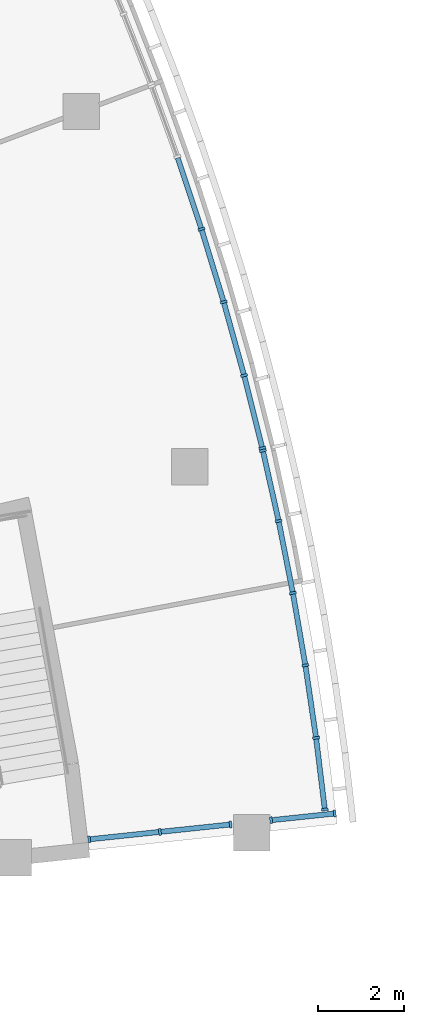
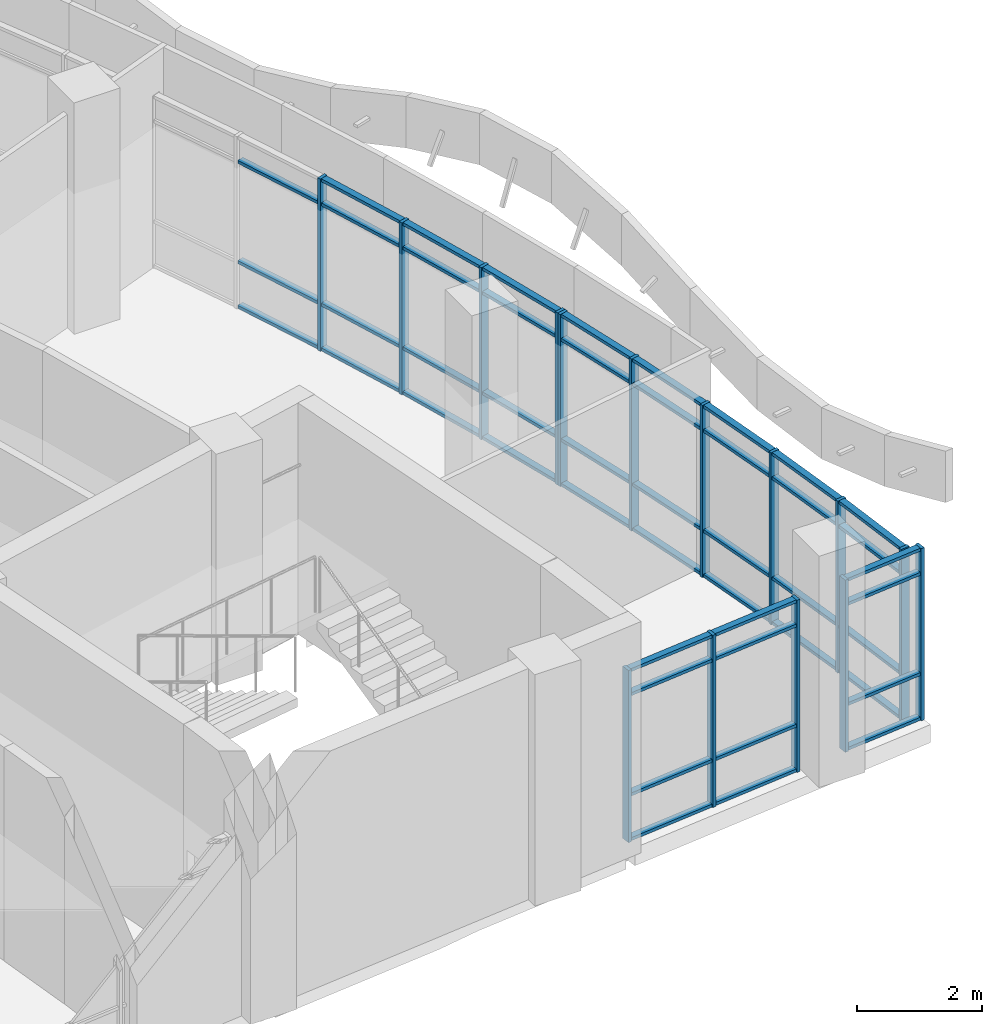
# One storey, part 30 of 136: 62 members, 4 elements without a shape of their own.
"""IFC4 building model written with IfcOpenShell, lengths in metres."""

from ifc_helpers import new_model, si_unit, direction, frame, origin, origin_2d, place, context, subcontext, project, spatial, rectangle, extrude, material, material_profile, profile_set, type_object, element, aggregate, save


model = new_model("IFC4")

# Units and contexts
model_context = context("Model", 3, precision=1e-05, world=origin(), true_north=direction((0.0, 1.0)))
body_context = subcontext(model_context, "Body", "Model", "MODEL_VIEW")
ifc_project = project(units=[si_unit("LENGTHUNIT", "METRE"), si_unit("AREAUNIT", "SQUARE_METRE"), si_unit("VOLUMEUNIT", "CUBIC_METRE"), si_unit("PLANEANGLEUNIT", "RADIAN"), si_unit("MASSUNIT", "GRAM", prefix="KILO")], contexts=[model_context])

# Site, building, storey
site_placement = place(None, origin())
site = spatial("IfcSite", under=ifc_project, at=site_placement, CompositionType="ELEMENT")
building_placement = place(site_placement, origin())
building = spatial("IfcBuilding", under=site, at=building_placement, Name="Bougainvillea Quay General Hospital", CompositionType="ELEMENT")
storey_placement = place(building_placement, frame((0.0, 0.0, 5.39990234375)))
storey = spatial("IfcBuildingStorey", under=building, at=storey_placement, Name="L01", CompositionType="ELEMENT", Elevation=5.39990234375)

# Curtain wall, members
ifc_material_1 = material(Name="Aluminium curtain wall system, powder-coated glazed", Category="aluminium")
curtain_wall_type_1 = type_object("IfcCurtainWallType", Name="Unitised curtain wall CW-1691", PredefinedType="NOTDEFINED", material=ifc_material_1)
curtain_wall_1_placement = place(storey_placement, origin())
curtain_wall_1 = element("IfcCurtainWall", 1, at=curtain_wall_1_placement, inside=storey, type_object=curtain_wall_type_1, Name="CW-AE 04", PredefinedType="NOTDEFINED")
ifc_material_2 = material(Name="Aluminium mullion, powder-coated charcoal", Category="aluminium")
ifc_material_profile_1 = material_profile(ifc_material_2, rectangle(XDim=0.159912109375, YDim=0.06005859375, at=origin_2d()))
ifc_profile_set_1 = profile_set([ifc_material_profile_1], Name="Aluminium mullion, powder-coated charcoal")
member_type_1 = type_object("IfcMemberType", Name="Curtain wall mullion 160x60", PredefinedType="MULLION", material=ifc_profile_set_1)
member_1_placement = place(storey_placement, frame((173.027099609375, 28.9599609375, 0.0), z_axis=(0.0, 0.0, 1.0), x_axis=(-0.104527173765, 0.9945220309, 0.0)))
member_1 = element("IfcMember", 2, at=member_1_placement, type_object=member_type_1, Name="CW-AE mullion 1", PredefinedType="MULLION", context=body_context, shape_type="SweptSolid", body=[
    extrude(rectangle(XDim=0.159912109375, YDim=0.06005859375, at=origin_2d()), origin(), (0.0, 0.0, 1.0), 3.35009765625),
])
member_2_placement = place(storey_placement, frame((174.677978515625, 29.13330078125, 0.0), z_axis=(0.0, 0.0, 1.0), x_axis=(-0.104527173765, 0.9945220309, 0.0)))
member_2 = element("IfcMember", 3, at=member_2_placement, type_object=member_type_1, Name="CW-AE mullion 2", PredefinedType="MULLION", context=body_context, shape_type="SweptSolid", body=[
    extrude(rectangle(XDim=0.159912109375, YDim=0.06005859375, at=origin_2d()), origin(), (0.0, 0.0, 1.0), 3.35009765625),
])
member_3_placement = place(storey_placement, frame((176.3291015625, 29.306884765625, 0.0), z_axis=(0.0, 0.0, 1.0), x_axis=(-0.104527173765, 0.9945220309, 0.0)))
member_3 = element("IfcMember", 4, at=member_3_placement, type_object=member_type_1, Name="CW-AE mullion 3", PredefinedType="MULLION", context=body_context, shape_type="SweptSolid", body=[
    extrude(rectangle(XDim=0.159912109375, YDim=0.06005859375, at=origin_2d()), origin(), (0.0, 0.0, 1.0), 3.35009765625),
])

curtain_wall_type_2 = type_object("IfcCurtainWallType", Name="Unitised curtain wall CW-1556", PredefinedType="NOTDEFINED", material=ifc_material_1)
curtain_wall_2_placement = place(storey_placement, origin())
curtain_wall_2 = element("IfcCurtainWall", 5, at=curtain_wall_2_placement, inside=storey, type_object=curtain_wall_type_2, Name="CW-AE 05", PredefinedType="NOTDEFINED")
member_4_placement = place(storey_placement, frame((177.273681640625, 29.40625, 0.0), z_axis=(0.0, 0.0, 1.0), x_axis=(-0.104527173765, 0.9945220309, 0.0)))
member_4 = element("IfcMember", 6, at=member_4_placement, type_object=member_type_1, Name="CW-AE mullion 1", PredefinedType="MULLION", context=body_context, shape_type="SweptSolid", body=[
    extrude(rectangle(XDim=0.159912109375, YDim=0.06005859375, at=origin_2d()), origin(), (0.0, 0.0, 1.0), 3.35009765625),
])
member_5_placement = place(storey_placement, frame((178.760986328125, 29.5625, 0.0), z_axis=(0.0, 0.0, 1.0), x_axis=(-0.104527173765, 0.9945220309, 0.0)))
member_5 = element("IfcMember", 7, at=member_5_placement, type_object=member_type_1, Name="CW-AE mullion 2", PredefinedType="MULLION", context=body_context, shape_type="SweptSolid", body=[
    extrude(rectangle(XDim=0.159912109375, YDim=0.06005859375, at=origin_2d()), origin(), (0.0, 0.0, 1.0), 3.35009765625),
])

curtain_wall_type_3 = type_object("IfcCurtainWallType", Name="Unitised curtain wall CW-2100", PredefinedType="NOTDEFINED", material=ifc_material_1)
curtain_wall_3_placement = place(storey_placement, origin())
curtain_wall_3 = element("IfcCurtainWall", 8, at=curtain_wall_3_placement, inside=storey, type_object=curtain_wall_type_3, Name="CW-E07 a23b6", PredefinedType="NOTDEFINED")
member_6_placement = place(storey_placement, frame((175.6474609375, 43.210205078125, 0.0), z_axis=(0.0, 0.0, 1.0), x_axis=(0.952644499358, 0.304086267106, 0.0)))
member_6 = element("IfcMember", 9, at=member_6_placement, type_object=member_type_1, Name="CW-E07 mullion 3", PredefinedType="MULLION", context=body_context, shape_type="SweptSolid", body=[
    extrude(rectangle(XDim=0.159912109375, YDim=0.06005859375, at=origin_2d()), origin(), (0.0, 0.0, 1.0), 3.35009765625),
])
member_7_placement = place(storey_placement, frame((176.1669921875, 41.507568359375, 0.0), z_axis=(0.0, 0.0, 1.0), x_axis=(0.960094774236, 0.27967485494, 0.0)))
member_7 = element("IfcMember", 10, at=member_7_placement, type_object=member_type_1, Name="CW-E07 mullion 4", PredefinedType="MULLION", context=body_context, shape_type="SweptSolid", body=[
    extrude(rectangle(XDim=0.159912109375, YDim=0.06005859375, at=origin_2d()), origin(), (0.0, 0.0, 1.0), 3.35009765625),
])
member_8_placement = place(storey_placement, frame((176.64306640625, 39.7919921875, 0.0), z_axis=(0.0, 0.0, 1.0), x_axis=(0.966919620681, 0.255081255962, 0.0)))
member_8 = element("IfcMember", 11, at=member_8_placement, type_object=member_type_1, Name="CW-E07 mullion 5", PredefinedType="MULLION", context=body_context, shape_type="SweptSolid", body=[
    extrude(rectangle(XDim=0.159912109375, YDim=0.06005859375, at=origin_2d()), origin(), (0.0, 0.0, 1.0), 3.35009765625),
])
member_9_placement = place(storey_placement, frame((177.06787109375, 38.09423828125, 0.0), z_axis=(0.0, 0.0, 1.0), x_axis=(0.970096102912, 0.242721138583, 0.0)))
member_9 = element("IfcMember", 12, at=member_9_placement, type_object=member_type_1, Name="CW-E07 mullion 6", PredefinedType="MULLION", context=body_context, shape_type="SweptSolid", body=[
    extrude(rectangle(XDim=0.159912109375, YDim=0.06005859375, at=origin_2d()), origin(), (0.0, 0.0, 1.0), 3.35009765625),
])

curtain_wall_4_placement = place(storey_placement, origin())
curtain_wall_4 = element("IfcCurtainWall", 13, at=curtain_wall_4_placement, inside=storey, type_object=curtain_wall_type_3, Name="CW-E08 a23b7", PredefinedType="NOTDEFINED")
member_10_placement = place(storey_placement, frame((177.081787109375, 38.03564453125, 0.0), z_axis=(0.0, 0.0, 1.0), x_axis=(0.97587019217, 0.218351478204, 0.0)))
member_10 = element("IfcMember", 14, at=member_10_placement, type_object=member_type_1, Name="CW-E08 mullion 1", PredefinedType="MULLION", context=body_context, shape_type="SweptSolid", body=[
    extrude(rectangle(XDim=0.159912109375, YDim=0.06005859375, at=origin_2d()), origin(), (0.0, 0.0, 1.0), 3.35009765625),
])
member_11_placement = place(storey_placement, frame((177.44921875, 36.392822265625, 0.0), z_axis=(0.0, 0.0, 1.0), x_axis=(0.978478557556, 0.206348521691, 0.0)))
member_11 = element("IfcMember", 15, at=member_11_placement, type_object=member_type_1, Name="CW-E08 mullion 2", PredefinedType="MULLION", context=body_context, shape_type="SweptSolid", body=[
    extrude(rectangle(XDim=0.159912109375, YDim=0.06005859375, at=origin_2d()), origin(), (0.0, 0.0, 1.0), 3.35009765625),
])
member_12_placement = place(storey_placement, frame((177.7822265625, 34.712158203125, 0.0), z_axis=(0.0, 0.0, 1.0), x_axis=(0.983252034569, 0.182251026106, 0.0)))
member_12 = element("IfcMember", 16, at=member_12_placement, type_object=member_type_1, Name="CW-E08 mullion 3", PredefinedType="MULLION", context=body_context, shape_type="SweptSolid", body=[
    extrude(rectangle(XDim=0.159912109375, YDim=0.06005859375, at=origin_2d()), origin(), (0.0, 0.0, 1.0), 3.35009765625),
])
member_13_placement = place(storey_placement, frame((178.07373046875, 33.023681640625, 0.0), z_axis=(0.0, 0.0, 1.0), x_axis=(0.98743214319, 0.158043546515, 0.0)))
member_13 = element("IfcMember", 17, at=member_13_placement, type_object=member_type_1, Name="CW-E08 mullion 4", PredefinedType="MULLION", context=body_context, shape_type="SweptSolid", body=[
    extrude(rectangle(XDim=0.159912109375, YDim=0.06005859375, at=origin_2d()), origin(), (0.0, 0.0, 1.0), 3.35009765625),
])
member_14_placement = place(storey_placement, frame((178.323974609375, 31.328369140625, 0.0), z_axis=(0.0, 0.0, 1.0), x_axis=(0.991016360827, 0.133740691535, 0.0)))
member_14 = element("IfcMember", 18, at=member_14_placement, type_object=member_type_1, Name="CW-E08 mullion 5", PredefinedType="MULLION", context=body_context, shape_type="SweptSolid", body=[
    extrude(rectangle(XDim=0.159912109375, YDim=0.06005859375, at=origin_2d()), origin(), (0.0, 0.0, 1.0), 3.35009765625),
])
member_15_placement = place(storey_placement, frame((178.528564453125, 29.657470703125, 0.0), z_axis=(0.0, 0.0, 1.0), x_axis=(0.992584320508, 0.121558079457, 0.0)))
member_15 = element("IfcMember", 19, at=member_15_placement, type_object=member_type_1, Name="CW-E08 mullion 6", PredefinedType="MULLION", context=body_context, shape_type="SweptSolid", body=[
    extrude(rectangle(XDim=0.159912109375, YDim=0.06005859375, at=origin_2d()), origin(), (0.0, 0.0, 1.0), 3.35009765625),
])

# Member
ifc_material_3 = material(Name="Aluminium transom, powder-coated charcoal", Category="aluminium")
ifc_material_profile_2 = material_profile(ifc_material_3, rectangle(XDim=0.1201171875, YDim=0.06005859375, at=origin_2d()))
ifc_profile_set_2 = profile_set([ifc_material_profile_2], Name="Aluminium transom, powder-coated charcoal")
member_type_2 = type_object("IfcMemberType", Name="Curtain wall transom 120x60", PredefinedType="USERDEFINED", material=ifc_profile_set_2)
member_16_placement = place(storey_placement, frame((173.05712890625, 28.962890625, 0.030029296875), z_axis=(0.994521329025, 0.104533851524, 0.0), x_axis=(-0.104533851524, 0.994521329025, 0.0)))
member_16 = element("IfcMember", 20, at=member_16_placement, type_object=member_type_2, Name="CW-AE transom 1.1", ObjectType="TRANSOM", PredefinedType="USERDEFINED", context=body_context, shape_type="SweptSolid", body=[
    extrude(rectangle(XDim=0.1201171875, YDim=0.06005859375, at=origin_2d()), origin(), (0.0, 0.0, 1.0), 1.599853515625),
])

member_17_placement = place(storey_placement, frame((173.05712890625, 28.962890625, 0.900146484375), z_axis=(0.994521329025, 0.104533851524, 0.0), x_axis=(-0.104533851524, 0.994521329025, 0.0)))
member_17 = element("IfcMember", 21, at=member_17_placement, type_object=member_type_2, Name="CW-AE transom 1.2", ObjectType="TRANSOM", PredefinedType="USERDEFINED", context=body_context, shape_type="SweptSolid", body=[
    extrude(rectangle(XDim=0.1201171875, YDim=0.06005859375, at=origin_2d()), origin(), (0.0, 0.0, 1.0), 1.599853515625),
])

member_18_placement = place(storey_placement, frame((173.05712890625, 28.962890625, 2.85009765625), z_axis=(0.994521329025, 0.104533851524, 0.0), x_axis=(-0.104533851524, 0.994521329025, 0.0)))
member_18 = element("IfcMember", 22, at=member_18_placement, type_object=member_type_2, Name="CW-AE transom 1.3", ObjectType="TRANSOM", PredefinedType="USERDEFINED", context=body_context, shape_type="SweptSolid", body=[
    extrude(rectangle(XDim=0.1201171875, YDim=0.06005859375, at=origin_2d()), origin(), (0.0, 0.0, 1.0), 1.599853515625),
])

member_19_placement = place(storey_placement, frame((173.05712890625, 28.962890625, 3.320068359375), z_axis=(0.994521329025, 0.104533851524, 0.0), x_axis=(-0.104533851524, 0.994521329025, 0.0)))
member_19 = element("IfcMember", 23, at=member_19_placement, type_object=member_type_2, Name="CW-AE transom 1.4", ObjectType="TRANSOM", PredefinedType="USERDEFINED", context=body_context, shape_type="SweptSolid", body=[
    extrude(rectangle(XDim=0.1201171875, YDim=0.06005859375, at=origin_2d()), origin(), (0.0, 0.0, 1.0), 1.599853515625),
])

member_20_placement = place(storey_placement, frame((174.7080078125, 29.136474609375, 0.030029296875), z_axis=(0.994521329025, 0.104533851524, 0.0), x_axis=(-0.104533851524, 0.994521329025, 0.0)))
member_20 = element("IfcMember", 24, at=member_20_placement, type_object=member_type_2, Name="CW-AE transom 2.1", ObjectType="TRANSOM", PredefinedType="USERDEFINED", context=body_context, shape_type="SweptSolid", body=[
    extrude(rectangle(XDim=0.1201171875, YDim=0.06005859375, at=origin_2d()), origin(), (0.0, 0.0, 1.0), 1.599853515625),
])

member_21_placement = place(storey_placement, frame((174.7080078125, 29.136474609375, 0.900146484375), z_axis=(0.994521329025, 0.104533851524, 0.0), x_axis=(-0.104533851524, 0.994521329025, 0.0)))
member_21 = element("IfcMember", 25, at=member_21_placement, type_object=member_type_2, Name="CW-AE transom 2.2", ObjectType="TRANSOM", PredefinedType="USERDEFINED", context=body_context, shape_type="SweptSolid", body=[
    extrude(rectangle(XDim=0.1201171875, YDim=0.06005859375, at=origin_2d()), origin(), (0.0, 0.0, 1.0), 1.599853515625),
])

member_22_placement = place(storey_placement, frame((174.7080078125, 29.136474609375, 2.85009765625), z_axis=(0.994521329025, 0.104533851524, 0.0), x_axis=(-0.104533851524, 0.994521329025, 0.0)))
member_22 = element("IfcMember", 26, at=member_22_placement, type_object=member_type_2, Name="CW-AE transom 2.3", ObjectType="TRANSOM", PredefinedType="USERDEFINED", context=body_context, shape_type="SweptSolid", body=[
    extrude(rectangle(XDim=0.1201171875, YDim=0.06005859375, at=origin_2d()), origin(), (0.0, 0.0, 1.0), 1.599853515625),
])

member_23_placement = place(storey_placement, frame((174.7080078125, 29.136474609375, 3.320068359375), z_axis=(0.994521329025, 0.104533851524, 0.0), x_axis=(-0.104533851524, 0.994521329025, 0.0)))
member_23 = element("IfcMember", 27, at=member_23_placement, type_object=member_type_2, Name="CW-AE transom 2.4", ObjectType="TRANSOM", PredefinedType="USERDEFINED", context=body_context, shape_type="SweptSolid", body=[
    extrude(rectangle(XDim=0.1201171875, YDim=0.06005859375, at=origin_2d()), origin(), (0.0, 0.0, 1.0), 1.599853515625),
])

aggregate(curtain_wall_1, [member_1, member_2, member_3, member_16, member_17, member_18, member_19, member_20, member_21, member_22, member_23])

member_24_placement = place(storey_placement, frame((177.3037109375, 29.409423828125, 0.030029296875), z_axis=(0.994531518422, 0.104436865454, 0.0), x_axis=(-0.104436865454, 0.994531518422, 0.0)))
member_24 = element("IfcMember", 28, at=member_24_placement, type_object=member_type_2, Name="CW-AE transom 1.1", ObjectType="TRANSOM", PredefinedType="USERDEFINED", context=body_context, shape_type="SweptSolid", body=[
    extrude(rectangle(XDim=0.1201171875, YDim=0.06005859375, at=origin_2d()), origin(), (0.0, 0.0, 1.0), 1.435302734375),
])

member_25_placement = place(storey_placement, frame((177.3037109375, 29.409423828125, 0.900146484375), z_axis=(0.994531518422, 0.104436865454, 0.0), x_axis=(-0.104436865454, 0.994531518422, 0.0)))
member_25 = element("IfcMember", 29, at=member_25_placement, type_object=member_type_2, Name="CW-AE transom 1.2", ObjectType="TRANSOM", PredefinedType="USERDEFINED", context=body_context, shape_type="SweptSolid", body=[
    extrude(rectangle(XDim=0.1201171875, YDim=0.06005859375, at=origin_2d()), origin(), (0.0, 0.0, 1.0), 1.435302734375),
])

member_26_placement = place(storey_placement, frame((177.3037109375, 29.409423828125, 2.85009765625), z_axis=(0.994531518422, 0.104436865454, 0.0), x_axis=(-0.104436865454, 0.994531518422, 0.0)))
member_26 = element("IfcMember", 30, at=member_26_placement, type_object=member_type_2, Name="CW-AE transom 1.3", ObjectType="TRANSOM", PredefinedType="USERDEFINED", context=body_context, shape_type="SweptSolid", body=[
    extrude(rectangle(XDim=0.1201171875, YDim=0.06005859375, at=origin_2d()), origin(), (0.0, 0.0, 1.0), 1.435302734375),
])

member_27_placement = place(storey_placement, frame((177.3037109375, 29.409423828125, 3.320068359375), z_axis=(0.994531518422, 0.104436865454, 0.0), x_axis=(-0.104436865454, 0.994531518422, 0.0)))
member_27 = element("IfcMember", 31, at=member_27_placement, type_object=member_type_2, Name="CW-AE transom 1.4", ObjectType="TRANSOM", PredefinedType="USERDEFINED", context=body_context, shape_type="SweptSolid", body=[
    extrude(rectangle(XDim=0.1201171875, YDim=0.06005859375, at=origin_2d()), origin(), (0.0, 0.0, 1.0), 1.435302734375),
])

aggregate(curtain_wall_2, [member_4, member_5, member_24, member_25, member_26, member_27])

member_28_placement = place(storey_placement, frame((175.093994140625, 44.87060546875, 0.030029296875), z_axis=(0.316185191391, -0.948697488531, 0.0), x_axis=(0.948697488531, 0.316185191391, 0.0)))
member_28 = element("IfcMember", 32, at=member_28_placement, type_object=member_type_2, Name="CW-E07 transom 2.1", ObjectType="TRANSOM", PredefinedType="USERDEFINED", context=body_context, shape_type="SweptSolid", body=[
    extrude(rectangle(XDim=0.1201171875, YDim=0.06005859375, at=origin_2d()), origin(), (0.0, 0.0, 1.0), 1.720458984375),
])

member_29_placement = place(storey_placement, frame((175.093994140625, 44.87060546875, 0.900146484375), z_axis=(0.316185191391, -0.948697488531, 0.0), x_axis=(0.948697488531, 0.316185191391, 0.0)))
member_29 = element("IfcMember", 33, at=member_29_placement, type_object=member_type_2, Name="CW-E07 transom 2.2", ObjectType="TRANSOM", PredefinedType="USERDEFINED", context=body_context, shape_type="SweptSolid", body=[
    extrude(rectangle(XDim=0.1201171875, YDim=0.06005859375, at=origin_2d()), origin(), (0.0, 0.0, 1.0), 1.720458984375),
])

member_30_placement = place(storey_placement, frame((175.093994140625, 44.87060546875, 2.85009765625), z_axis=(0.316185191391, -0.948697488531, 0.0), x_axis=(0.948697488531, 0.316185191391, 0.0)))
member_30 = element("IfcMember", 34, at=member_30_placement, type_object=member_type_2, Name="CW-E07 transom 2.3", ObjectType="TRANSOM", PredefinedType="USERDEFINED", context=body_context, shape_type="SweptSolid", body=[
    extrude(rectangle(XDim=0.1201171875, YDim=0.06005859375, at=origin_2d()), origin(), (0.0, 0.0, 1.0), 1.720458984375),
])

member_31_placement = place(storey_placement, frame((175.65625, 43.181396484375, 0.030029296875), z_axis=(0.29181104464, -0.956475987271, 0.0), x_axis=(0.956475987271, 0.29181104464, 0.0)))
member_31 = element("IfcMember", 35, at=member_31_placement, type_object=member_type_2, Name="CW-E07 transom 3.1", ObjectType="TRANSOM", PredefinedType="USERDEFINED", context=body_context, shape_type="SweptSolid", body=[
    extrude(rectangle(XDim=0.1201171875, YDim=0.06005859375, at=origin_2d()), origin(), (0.0, 0.0, 1.0), 1.72021484375),
])

member_32_placement = place(storey_placement, frame((175.65625, 43.181396484375, 0.900146484375), z_axis=(0.29181104464, -0.956475987271, 0.0), x_axis=(0.956475987271, 0.29181104464, 0.0)))
member_32 = element("IfcMember", 36, at=member_32_placement, type_object=member_type_2, Name="CW-E07 transom 3.2", ObjectType="TRANSOM", PredefinedType="USERDEFINED", context=body_context, shape_type="SweptSolid", body=[
    extrude(rectangle(XDim=0.1201171875, YDim=0.06005859375, at=origin_2d()), origin(), (0.0, 0.0, 1.0), 1.72021484375),
])

member_33_placement = place(storey_placement, frame((175.65625, 43.181396484375, 2.85009765625), z_axis=(0.29181104464, -0.956475987271, 0.0), x_axis=(0.956475987271, 0.29181104464, 0.0)))
member_33 = element("IfcMember", 37, at=member_33_placement, type_object=member_type_2, Name="CW-E07 transom 3.3", ObjectType="TRANSOM", PredefinedType="USERDEFINED", context=body_context, shape_type="SweptSolid", body=[
    extrude(rectangle(XDim=0.1201171875, YDim=0.06005859375, at=origin_2d()), origin(), (0.0, 0.0, 1.0), 1.72021484375),
])

member_34_placement = place(storey_placement, frame((175.65625, 43.181396484375, 3.320068359375), z_axis=(0.29181104464, -0.956475987271, 0.0), x_axis=(0.956475987271, 0.29181104464, 0.0)))
member_34 = element("IfcMember", 38, at=member_34_placement, type_object=member_type_2, Name="CW-E07 transom 3.4", ObjectType="TRANSOM", PredefinedType="USERDEFINED", context=body_context, shape_type="SweptSolid", body=[
    extrude(rectangle(XDim=0.1201171875, YDim=0.06005859375, at=origin_2d()), origin(), (0.0, 0.0, 1.0), 1.72021484375),
])

member_35_placement = place(storey_placement, frame((176.175048828125, 41.478515625, 0.030029296875), z_axis=(0.267402284132, -0.96358498247, 0.0), x_axis=(0.96358498247, 0.267402284132, 0.0)))
member_35 = element("IfcMember", 39, at=member_35_placement, type_object=member_type_2, Name="CW-E07 transom 4.1", ObjectType="TRANSOM", PredefinedType="USERDEFINED", context=body_context, shape_type="SweptSolid", body=[
    extrude(rectangle(XDim=0.1201171875, YDim=0.06005859375, at=origin_2d()), origin(), (0.0, 0.0, 1.0), 1.72021484375),
])

member_36_placement = place(storey_placement, frame((176.175048828125, 41.478515625, 0.900146484375), z_axis=(0.267402284132, -0.96358498247, 0.0), x_axis=(0.96358498247, 0.267402284132, 0.0)))
member_36 = element("IfcMember", 40, at=member_36_placement, type_object=member_type_2, Name="CW-E07 transom 4.2", ObjectType="TRANSOM", PredefinedType="USERDEFINED", context=body_context, shape_type="SweptSolid", body=[
    extrude(rectangle(XDim=0.1201171875, YDim=0.06005859375, at=origin_2d()), origin(), (0.0, 0.0, 1.0), 1.72021484375),
])

member_37_placement = place(storey_placement, frame((176.175048828125, 41.478515625, 2.85009765625), z_axis=(0.267402284132, -0.96358498247, 0.0), x_axis=(0.96358498247, 0.267402284132, 0.0)))
member_37 = element("IfcMember", 41, at=member_37_placement, type_object=member_type_2, Name="CW-E07 transom 4.3", ObjectType="TRANSOM", PredefinedType="USERDEFINED", context=body_context, shape_type="SweptSolid", body=[
    extrude(rectangle(XDim=0.1201171875, YDim=0.06005859375, at=origin_2d()), origin(), (0.0, 0.0, 1.0), 1.72021484375),
])

member_38_placement = place(storey_placement, frame((176.175048828125, 41.478515625, 3.320068359375), z_axis=(0.267402284132, -0.96358498247, 0.0), x_axis=(0.96358498247, 0.267402284132, 0.0)))
member_38 = element("IfcMember", 42, at=member_38_placement, type_object=member_type_2, Name="CW-E07 transom 4.4", ObjectType="TRANSOM", PredefinedType="USERDEFINED", context=body_context, shape_type="SweptSolid", body=[
    extrude(rectangle(XDim=0.1201171875, YDim=0.06005859375, at=origin_2d()), origin(), (0.0, 0.0, 1.0), 1.72021484375),
])

member_39_placement = place(storey_placement, frame((176.650390625, 39.762939453125, 0.030029296875), z_axis=(0.242671573116, -0.970108503004, 0.0), x_axis=(0.970108503004, 0.242671573116, 0.0)))
member_39 = element("IfcMember", 43, at=member_39_placement, type_object=member_type_2, Name="CW-E07 transom 5.1", ObjectType="TRANSOM", PredefinedType="USERDEFINED", context=body_context, shape_type="SweptSolid", body=[
    extrude(rectangle(XDim=0.1201171875, YDim=0.06005859375, at=origin_2d()), origin(), (0.0, 0.0, 1.0), 1.690185546875),
])

member_40_placement = place(storey_placement, frame((176.650390625, 39.762939453125, 0.900146484375), z_axis=(0.242671573116, -0.970108503004, 0.0), x_axis=(0.970108503004, 0.242671573116, 0.0)))
member_40 = element("IfcMember", 44, at=member_40_placement, type_object=member_type_2, Name="CW-E07 transom 5.2", ObjectType="TRANSOM", PredefinedType="USERDEFINED", context=body_context, shape_type="SweptSolid", body=[
    extrude(rectangle(XDim=0.1201171875, YDim=0.06005859375, at=origin_2d()), origin(), (0.0, 0.0, 1.0), 1.690185546875),
])

member_41_placement = place(storey_placement, frame((176.650390625, 39.762939453125, 2.85009765625), z_axis=(0.242671573116, -0.970108503004, 0.0), x_axis=(0.970108503004, 0.242671573116, 0.0)))
member_41 = element("IfcMember", 45, at=member_41_placement, type_object=member_type_2, Name="CW-E07 transom 5.3", ObjectType="TRANSOM", PredefinedType="USERDEFINED", context=body_context, shape_type="SweptSolid", body=[
    extrude(rectangle(XDim=0.1201171875, YDim=0.06005859375, at=origin_2d()), origin(), (0.0, 0.0, 1.0), 1.690185546875),
])

member_42_placement = place(storey_placement, frame((176.650390625, 39.762939453125, 3.320068359375), z_axis=(0.242671573116, -0.970108503004, 0.0), x_axis=(0.970108503004, 0.242671573116, 0.0)))
member_42 = element("IfcMember", 46, at=member_42_placement, type_object=member_type_2, Name="CW-E07 transom 5.4", ObjectType="TRANSOM", PredefinedType="USERDEFINED", context=body_context, shape_type="SweptSolid", body=[
    extrude(rectangle(XDim=0.1201171875, YDim=0.06005859375, at=origin_2d()), origin(), (0.0, 0.0, 1.0), 1.690185546875),
])

aggregate(curtain_wall_3, [member_6, member_7, member_8, member_9, member_28, member_29, member_30, member_31, member_32, member_33, member_34, member_35, member_36, member_37, member_38, member_39, member_40, member_41, member_42])

member_43_placement = place(storey_placement, frame((177.08837890625, 38.006591796875, 0.030029296875), z_axis=(0.218331290803, -0.975874708893, 0.0), x_axis=(0.975874708893, 0.218331290803, 0.0)))
member_43 = element("IfcMember", 47, at=member_43_placement, type_object=member_type_2, Name="CW-E08 transom 1.1", ObjectType="TRANSOM", PredefinedType="USERDEFINED", context=body_context, shape_type="SweptSolid", body=[
    extrude(rectangle(XDim=0.1201171875, YDim=0.06005859375, at=origin_2d()), origin(), (0.0, 0.0, 1.0), 1.62353515625),
])

member_44_placement = place(storey_placement, frame((177.08837890625, 38.006591796875, 0.900146484375), z_axis=(0.218331290803, -0.975874708893, 0.0), x_axis=(0.975874708893, 0.218331290803, 0.0)))
member_44 = element("IfcMember", 48, at=member_44_placement, type_object=member_type_2, Name="CW-E08 transom 1.2", ObjectType="TRANSOM", PredefinedType="USERDEFINED", context=body_context, shape_type="SweptSolid", body=[
    extrude(rectangle(XDim=0.1201171875, YDim=0.06005859375, at=origin_2d()), origin(), (0.0, 0.0, 1.0), 1.62353515625),
])

member_45_placement = place(storey_placement, frame((177.08837890625, 38.006591796875, 2.85009765625), z_axis=(0.218331290803, -0.975874708893, 0.0), x_axis=(0.975874708893, 0.218331290803, 0.0)))
member_45 = element("IfcMember", 49, at=member_45_placement, type_object=member_type_2, Name="CW-E08 transom 1.3", ObjectType="TRANSOM", PredefinedType="USERDEFINED", context=body_context, shape_type="SweptSolid", body=[
    extrude(rectangle(XDim=0.1201171875, YDim=0.06005859375, at=origin_2d()), origin(), (0.0, 0.0, 1.0), 1.62353515625),
])

member_46_placement = place(storey_placement, frame((177.08837890625, 38.006591796875, 3.320068359375), z_axis=(0.218331290803, -0.975874708893, 0.0), x_axis=(0.975874708893, 0.218331290803, 0.0)))
member_46 = element("IfcMember", 50, at=member_46_placement, type_object=member_type_2, Name="CW-E08 transom 1.4", ObjectType="TRANSOM", PredefinedType="USERDEFINED", context=body_context, shape_type="SweptSolid", body=[
    extrude(rectangle(XDim=0.1201171875, YDim=0.06005859375, at=origin_2d()), origin(), (0.0, 0.0, 1.0), 1.62353515625),
])

member_47_placement = place(storey_placement, frame((177.455078125, 36.363525390625, 0.030029296875), z_axis=(0.194298649464, -0.980942421764, 0.0), x_axis=(0.980942421764, 0.194298649464, 0.0)))
member_47 = element("IfcMember", 51, at=member_47_placement, type_object=member_type_2, Name="CW-E08 transom 2.1", ObjectType="TRANSOM", PredefinedType="USERDEFINED", context=body_context, shape_type="SweptSolid", body=[
    extrude(rectangle(XDim=0.1201171875, YDim=0.06005859375, at=origin_2d()), origin(), (0.0, 0.0, 1.0), 1.653564453125),
])

member_48_placement = place(storey_placement, frame((177.455078125, 36.363525390625, 0.900146484375), z_axis=(0.194298649464, -0.980942421764, 0.0), x_axis=(0.980942421764, 0.194298649464, 0.0)))
member_48 = element("IfcMember", 52, at=member_48_placement, type_object=member_type_2, Name="CW-E08 transom 2.2", ObjectType="TRANSOM", PredefinedType="USERDEFINED", context=body_context, shape_type="SweptSolid", body=[
    extrude(rectangle(XDim=0.1201171875, YDim=0.06005859375, at=origin_2d()), origin(), (0.0, 0.0, 1.0), 1.653564453125),
])

member_49_placement = place(storey_placement, frame((177.455078125, 36.363525390625, 2.85009765625), z_axis=(0.194298649464, -0.980942421764, 0.0), x_axis=(0.980942421764, 0.194298649464, 0.0)))
member_49 = element("IfcMember", 53, at=member_49_placement, type_object=member_type_2, Name="CW-E08 transom 2.3", ObjectType="TRANSOM", PredefinedType="USERDEFINED", context=body_context, shape_type="SweptSolid", body=[
    extrude(rectangle(XDim=0.1201171875, YDim=0.06005859375, at=origin_2d()), origin(), (0.0, 0.0, 1.0), 1.653564453125),
])

member_50_placement = place(storey_placement, frame((177.455078125, 36.363525390625, 3.320068359375), z_axis=(0.194298649464, -0.980942421764, 0.0), x_axis=(0.980942421764, 0.194298649464, 0.0)))
member_50 = element("IfcMember", 54, at=member_50_placement, type_object=member_type_2, Name="CW-E08 transom 2.4", ObjectType="TRANSOM", PredefinedType="USERDEFINED", context=body_context, shape_type="SweptSolid", body=[
    extrude(rectangle(XDim=0.1201171875, YDim=0.06005859375, at=origin_2d()), origin(), (0.0, 0.0, 1.0), 1.653564453125),
])

member_51_placement = place(storey_placement, frame((177.787353515625, 34.6826171875, 0.030029296875), z_axis=(0.170238177254, -0.985402944488, 0.0), x_axis=(0.985402944488, 0.170238177254, 0.0)))
member_51 = element("IfcMember", 55, at=member_51_placement, type_object=member_type_2, Name="CW-E08 transom 3.1", ObjectType="TRANSOM", PredefinedType="USERDEFINED", context=body_context, shape_type="SweptSolid", body=[
    extrude(rectangle(XDim=0.1201171875, YDim=0.06005859375, at=origin_2d()), origin(), (0.0, 0.0, 1.0), 1.653564453125),
])

member_52_placement = place(storey_placement, frame((177.787353515625, 34.6826171875, 0.900146484375), z_axis=(0.170238177254, -0.985402944488, 0.0), x_axis=(0.985402944488, 0.170238177254, 0.0)))
member_52 = element("IfcMember", 56, at=member_52_placement, type_object=member_type_2, Name="CW-E08 transom 3.2", ObjectType="TRANSOM", PredefinedType="USERDEFINED", context=body_context, shape_type="SweptSolid", body=[
    extrude(rectangle(XDim=0.1201171875, YDim=0.06005859375, at=origin_2d()), origin(), (0.0, 0.0, 1.0), 1.653564453125),
])

member_53_placement = place(storey_placement, frame((177.787353515625, 34.6826171875, 2.85009765625), z_axis=(0.170238177254, -0.985402944488, 0.0), x_axis=(0.985402944488, 0.170238177254, 0.0)))
member_53 = element("IfcMember", 57, at=member_53_placement, type_object=member_type_2, Name="CW-E08 transom 3.3", ObjectType="TRANSOM", PredefinedType="USERDEFINED", context=body_context, shape_type="SweptSolid", body=[
    extrude(rectangle(XDim=0.1201171875, YDim=0.06005859375, at=origin_2d()), origin(), (0.0, 0.0, 1.0), 1.653564453125),
])

member_54_placement = place(storey_placement, frame((177.787353515625, 34.6826171875, 3.320068359375), z_axis=(0.170238177254, -0.985402944488, 0.0), x_axis=(0.985402944488, 0.170238177254, 0.0)))
member_54 = element("IfcMember", 58, at=member_54_placement, type_object=member_type_2, Name="CW-E08 transom 3.4", ObjectType="TRANSOM", PredefinedType="USERDEFINED", context=body_context, shape_type="SweptSolid", body=[
    extrude(rectangle(XDim=0.1201171875, YDim=0.06005859375, at=origin_2d()), origin(), (0.0, 0.0, 1.0), 1.653564453125),
])

member_55_placement = place(storey_placement, frame((178.078125, 32.993896484375, 0.030029296875), z_axis=(0.146029573517, -0.989280225042, 0.0), x_axis=(0.989280225042, 0.146029573517, 0.0)))
member_55 = element("IfcMember", 59, at=member_55_placement, type_object=member_type_2, Name="CW-E08 transom 4.1", ObjectType="TRANSOM", PredefinedType="USERDEFINED", context=body_context, shape_type="SweptSolid", body=[
    extrude(rectangle(XDim=0.1201171875, YDim=0.06005859375, at=origin_2d()), origin(), (0.0, 0.0, 1.0), 1.653564453125),
])

member_56_placement = place(storey_placement, frame((178.078125, 32.993896484375, 0.900146484375), z_axis=(0.146029573517, -0.989280225042, 0.0), x_axis=(0.989280225042, 0.146029573517, 0.0)))
member_56 = element("IfcMember", 60, at=member_56_placement, type_object=member_type_2, Name="CW-E08 transom 4.2", ObjectType="TRANSOM", PredefinedType="USERDEFINED", context=body_context, shape_type="SweptSolid", body=[
    extrude(rectangle(XDim=0.1201171875, YDim=0.06005859375, at=origin_2d()), origin(), (0.0, 0.0, 1.0), 1.653564453125),
])

member_57_placement = place(storey_placement, frame((178.078125, 32.993896484375, 2.85009765625), z_axis=(0.146029573517, -0.989280225042, 0.0), x_axis=(0.989280225042, 0.146029573517, 0.0)))
member_57 = element("IfcMember", 61, at=member_57_placement, type_object=member_type_2, Name="CW-E08 transom 4.3", ObjectType="TRANSOM", PredefinedType="USERDEFINED", context=body_context, shape_type="SweptSolid", body=[
    extrude(rectangle(XDim=0.1201171875, YDim=0.06005859375, at=origin_2d()), origin(), (0.0, 0.0, 1.0), 1.653564453125),
])

member_58_placement = place(storey_placement, frame((178.078125, 32.993896484375, 3.320068359375), z_axis=(0.146029573517, -0.989280225042, 0.0), x_axis=(0.989280225042, 0.146029573517, 0.0)))
member_58 = element("IfcMember", 62, at=member_58_placement, type_object=member_type_2, Name="CW-E08 transom 4.4", ObjectType="TRANSOM", PredefinedType="USERDEFINED", context=body_context, shape_type="SweptSolid", body=[
    extrude(rectangle(XDim=0.1201171875, YDim=0.06005859375, at=origin_2d()), origin(), (0.0, 0.0, 1.0), 1.653564453125),
])

member_59_placement = place(storey_placement, frame((178.327392578125, 31.298583984375, 0.030029296875), z_axis=(0.121665166795, -0.99257120006, 0.0), x_axis=(0.99257120006, 0.121665166795, 0.0)))
member_59 = element("IfcMember", 63, at=member_59_placement, type_object=member_type_2, Name="CW-E08 transom 5.1", ObjectType="TRANSOM", PredefinedType="USERDEFINED", context=body_context, shape_type="SweptSolid", body=[
    extrude(rectangle(XDim=0.1201171875, YDim=0.06005859375, at=origin_2d()), origin(), (0.0, 0.0, 1.0), 1.623291015625),
])

member_60_placement = place(storey_placement, frame((178.327392578125, 31.298583984375, 0.900146484375), z_axis=(0.121665166795, -0.99257120006, 0.0), x_axis=(0.99257120006, 0.121665166795, 0.0)))
member_60 = element("IfcMember", 64, at=member_60_placement, type_object=member_type_2, Name="CW-E08 transom 5.2", ObjectType="TRANSOM", PredefinedType="USERDEFINED", context=body_context, shape_type="SweptSolid", body=[
    extrude(rectangle(XDim=0.1201171875, YDim=0.06005859375, at=origin_2d()), origin(), (0.0, 0.0, 1.0), 1.623291015625),
])

member_61_placement = place(storey_placement, frame((178.327392578125, 31.298583984375, 2.85009765625), z_axis=(0.121665166795, -0.99257120006, 0.0), x_axis=(0.99257120006, 0.121665166795, 0.0)))
member_61 = element("IfcMember", 65, at=member_61_placement, type_object=member_type_2, Name="CW-E08 transom 5.3", ObjectType="TRANSOM", PredefinedType="USERDEFINED", context=body_context, shape_type="SweptSolid", body=[
    extrude(rectangle(XDim=0.1201171875, YDim=0.06005859375, at=origin_2d()), origin(), (0.0, 0.0, 1.0), 1.623291015625),
])

member_62_placement = place(storey_placement, frame((178.327392578125, 31.298583984375, 3.320068359375), z_axis=(0.121665166795, -0.99257120006, 0.0), x_axis=(0.99257120006, 0.121665166795, 0.0)))
member_62 = element("IfcMember", 66, at=member_62_placement, type_object=member_type_2, Name="CW-E08 transom 5.4", ObjectType="TRANSOM", PredefinedType="USERDEFINED", context=body_context, shape_type="SweptSolid", body=[
    extrude(rectangle(XDim=0.1201171875, YDim=0.06005859375, at=origin_2d()), origin(), (0.0, 0.0, 1.0), 1.623291015625),
])

aggregate(curtain_wall_4, [member_10, member_11, member_12, member_13, member_14, member_15, member_43, member_44, member_45, member_46, member_47, member_48, member_49, member_50, member_51, member_52, member_53, member_54, member_55, member_56, member_57, member_58, member_59, member_60, member_61, member_62])

save(model, "model.ifc")
